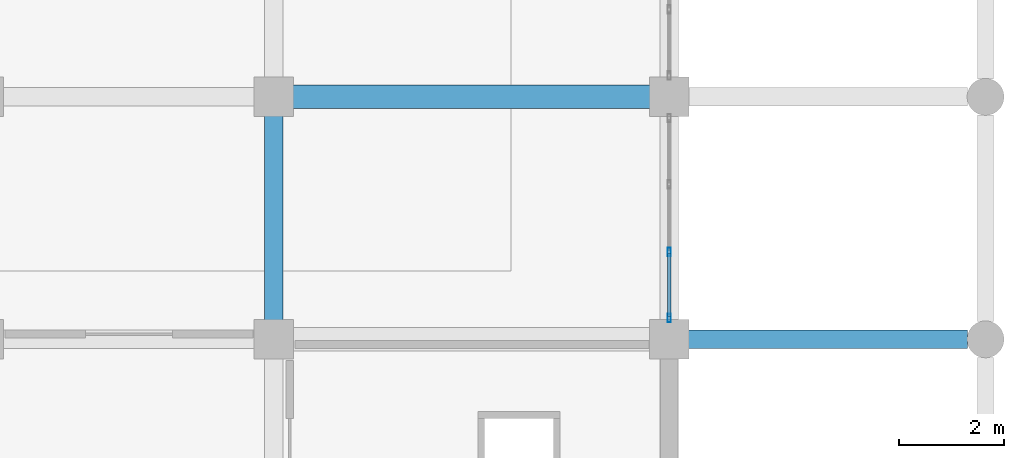
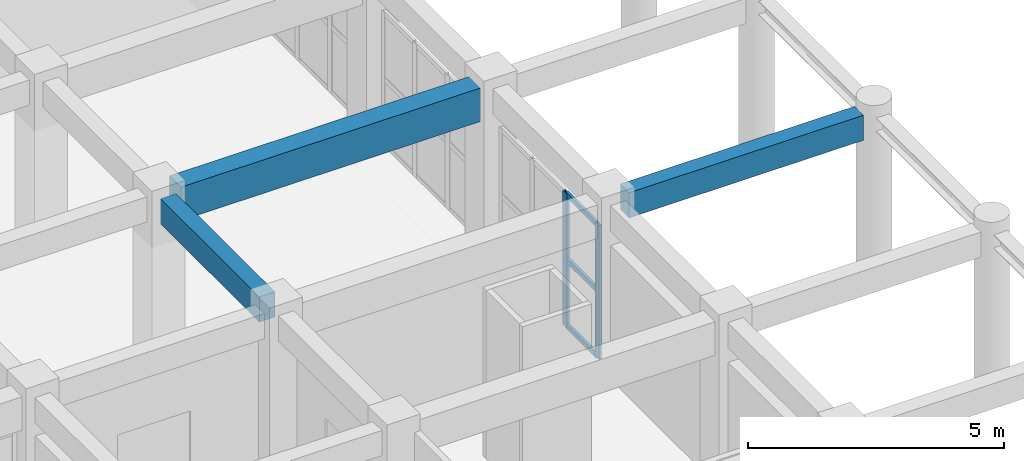
# One storey, part 71 of 116: 5 members, 3 beams, 1 element without a shape of its own.
"""IFC4 building model written with IfcOpenShell, lengths in metres."""

import ifcopenshell
import ifcopenshell.guid

model = None  # the IFC model being written
_history = None  # IfcOwnerHistory: only IFC2X3 demands one
_inside = {}  # id of a spatial element -> (the spatial element, [elements in it])
_under = {}  # id of a project, library or spatial element -> (it, [spatial elements below it])
_declared = {}  # id of a project -> (the project, [libraries it declares])
_typed = {}  # id of a type object -> (the type object, [elements of that type])
_made_of = {}  # id of a material, layer set ... -> (it, [elements and type objects made of it])


def new_model(schema):
    """Start an empty IFC model of exactly this schema.

    Asked for "IFC4X3", IfcOpenShell would pick the latest addendum, in which some entities
    have other attributes; the version numbers below select the first issue.
    IFC2X3 requires an IfcOwnerHistory on every rooted entity: one is made here for all.
    """
    global model, _history
    if schema == "IFC4X3":
        model = ifcopenshell.file(schema_version=(4, 3, 0, 0))
    else:
        model = ifcopenshell.file(schema=schema)
    _inside.clear()
    _under.clear()
    _declared.clear()
    _typed.clear()
    _made_of.clear()
    _history = None
    if model.schema == "IFC2X3":
        org = make("IfcOrganization", Name="unknown")
        user = make(
            "IfcPersonAndOrganization",
            ThePerson=make("IfcPerson", FamilyName="unknown"),
            TheOrganization=org,
        )
        app = make(
            "IfcApplication",
            ApplicationDeveloper=org,
            Version="unknown",
            ApplicationFullName="unknown",
            ApplicationIdentifier="unknown",
        )
        _history = make(
            "IfcOwnerHistory",
            OwningUser=user,
            OwningApplication=app,
            ChangeAction="ADDED",
            CreationDate=0,
        )
    return model


def make(cls, **values):
    """One entity of the class cls with the attributes given. An attribute that is None is left unset."""
    return model.create_entity(
        cls, **{name: value for name, value in values.items() if value is not None}
    )


def rooted(cls, **values):
    """An entity with a GlobalId (a new one), such as an element, a storey or a relation."""
    return make(cls, GlobalId=ifcopenshell.guid.new(), OwnerHistory=_history, **values)


def si_unit(unit_type, name, prefix=None):
    """IfcSIUnit, for example si_unit("LENGTHUNIT", "METRE", prefix="MILLI")."""
    return make("IfcSIUnit", UnitType=unit_type, Prefix=prefix, Name=name)


def assignment(units):
    """IfcUnitAssignment: the units of a project."""
    return None if units is None else make("IfcUnitAssignment", Units=units)


def point(xyz):
    """IfcCartesianPoint."""
    return None if xyz is None else make("IfcCartesianPoint", Coordinates=xyz)


def direction(xyz):
    """IfcDirection."""
    return None if xyz is None else make("IfcDirection", DirectionRatios=xyz)


def frame(location, z_axis=None, x_axis=None):
    """IfcAxis2Placement3D, a coordinate frame: its origin and axes. An axis left out is left unset."""
    return make(
        "IfcAxis2Placement3D",
        Location=point(location),
        Axis=direction(z_axis),
        RefDirection=direction(x_axis),
    )


def frame_2d(location, x_axis=None):
    """IfcAxis2Placement2D, a coordinate frame in the plane: its origin and x axis."""
    return make(
        "IfcAxis2Placement2D", Location=point(location), RefDirection=direction(x_axis)
    )


def origin():
    """The frame at (0, 0, 0) with its axes left unset."""
    return frame((0.0, 0.0, 0.0))


def origin_2d():
    """The frame at (0, 0) in the plane with its x axis left unset."""
    return frame_2d((0.0, 0.0))


def place(relative_to, where):
    """IfcLocalPlacement: puts the frame where relative to a parent placement (None: the world)."""
    return make(
        "IfcLocalPlacement", PlacementRelTo=relative_to, RelativePlacement=where
    )


def context(
    kind, dimensions, precision=None, world=None, true_north=None, identifier=None
):
    """IfcGeometricRepresentationContext, for example the 3D "Model" context."""
    return make(
        "IfcGeometricRepresentationContext",
        ContextIdentifier=identifier,
        ContextType=kind,
        CoordinateSpaceDimension=dimensions,
        Precision=precision,
        WorldCoordinateSystem=world,
        TrueNorth=true_north,
    )


def subcontext(parent, identifier, kind, view, scale=None):
    """IfcGeometricRepresentationSubContext, for example "Body" below "Model"."""
    return make(
        "IfcGeometricRepresentationSubContext",
        ContextIdentifier=identifier,
        ContextType=kind,
        ParentContext=parent,
        TargetScale=scale,
        TargetView=view,
    )


def project(units=None, contexts=None):
    """IfcProject with its units and contexts."""
    return rooted(
        "IfcProject",
        Name="project",
        RepresentationContexts=contexts,
        UnitsInContext=assignment(units),
    )


def spatial(cls, under=None, at=None, **own):
    """A site, building, storey or space (cls), placed at a placement, below another one or the project."""
    s = rooted(cls, ObjectPlacement=at, **own)
    if under is not None:
        _under.setdefault(under.id(), (under, []))[1].append(s)
    return s


def profile(cls, at=None, kind="AREA", **sizes):
    """A parametric profile (cls). Its sizes go by their IFC names, for example OverallWidth=200.0."""
    return make(cls, ProfileType=kind, Position=at, **sizes)


def rectangle(**sizes):
    """IfcRectangleProfileDef."""
    return profile("IfcRectangleProfileDef", **sizes)


def hollow_rectangle(**sizes):
    """IfcRectangleHollowProfileDef."""
    return profile("IfcRectangleHollowProfileDef", **sizes)


def extrude(swept, where, along, depth):
    """IfcExtrudedAreaSolid: the profile swept, set in the frame where, extruded along a direction by depth."""
    return make(
        "IfcExtrudedAreaSolid",
        SweptArea=swept,
        Position=where,
        ExtrudedDirection=direction(along),
        Depth=depth,
    )


def shape(context_of_items, identifier, shape_type, items):
    """IfcShapeRepresentation: the items that make up one representation, for example the "Body"."""
    return make(
        "IfcShapeRepresentation",
        ContextOfItems=context_of_items,
        RepresentationIdentifier=identifier,
        RepresentationType=shape_type,
        Items=items,
    )


def material(Name=None, Category=None):
    """IfcMaterial."""
    return make("IfcMaterial", Name=Name, Category=Category)


def layer(
    of_material, thickness, ventilated=None, Name=None, Category=None, Priority=None
):
    """IfcMaterialLayer: one layer of a wall or slab, of a material (None: an air gap)."""
    return make(
        "IfcMaterialLayer",
        Material=of_material,
        LayerThickness=thickness,
        IsVentilated=ventilated,
        Name=Name,
        Category=Category,
        Priority=Priority,
    )


def layer_set(layers, Name=None):
    """IfcMaterialLayerSet."""
    return make("IfcMaterialLayerSet", MaterialLayers=layers, LayerSetName=Name)


def material_profile(
    of_material, cross_section, Name=None, Category=None, Priority=None
):
    """IfcMaterialProfile: a cross section and its material."""
    return make(
        "IfcMaterialProfile",
        Name=Name,
        Material=of_material,
        Profile=cross_section,
        Priority=Priority,
        Category=Category,
    )


def profile_set(profiles, Name=None, composite=None):
    """IfcMaterialProfileSet."""
    return make(
        "IfcMaterialProfileSet",
        Name=Name,
        MaterialProfiles=profiles,
        CompositeProfile=composite,
    )


def made_of(thing, what):
    """Note that an element or type object is made of a material, layer set ...; save() writes the relation."""
    if what is not None:
        _made_of.setdefault(what.id(), (what, []))[1].append(thing)
    return thing


def type_object(cls, material=None, **own):
    """A type object (cls), such as IfcWallType, which elements share."""
    return made_of(rooted(cls, **own), material)


def element(
    cls,
    number,
    at=None,
    inside=None,
    cuts=None,
    type_object=None,
    material=None,
    context=None,
    identifier="Body",
    shape_type=None,
    held_by="IfcProductDefinitionShape",
    body=None,
    shapes=None,
    **own,
):
    """One element of the class cls, such as IfcWall. Its Tag is "e" and its number.

    at: its placement. inside: the storey or other place that contains it. cuts: it is an
    opening in that element (IfcRelVoidsElement). A single representation is given by context,
    identifier, shape_type and body (its items); several are given by shapes. held_by: the class
    of the entity that holds the representations. save() writes the other relations.
    """
    e = rooted(cls, Tag="e%d" % number, ObjectPlacement=at, **own)
    if body is not None:
        shapes = [shape(context, identifier, shape_type, body)]
    if shapes is not None:
        e.Representation = make(held_by, Representations=shapes)
    if inside is not None:
        _inside.setdefault(inside.id(), (inside, []))[1].append(e)
    if cuts is not None:
        rooted(
            "IfcRelVoidsElement", RelatingBuildingElement=cuts, RelatedOpeningElement=e
        )
    if type_object is not None:
        _typed.setdefault(type_object.id(), (type_object, []))[1].append(e)
    return made_of(e, material)


def aggregate(whole, parts):
    """IfcRelAggregates: a whole, such as a stair, and the parts it consists of."""
    return rooted("IfcRelAggregates", RelatingObject=whole, RelatedObjects=parts)


def save(model, path):
    """Write the relations noted so far, then the file.

    IfcRelAggregates (storeys below a building ...), IfcRelContainedInSpatialStructure (elements
    in a storey), IfcRelDefinesByType, IfcRelAssociatesMaterial and IfcRelDeclares: one each for
    every whole, place, type object, material and project.
    """
    for whole, parts in _under.values():
        aggregate(whole, parts)
    for where, things in _inside.values():
        rooted(
            "IfcRelContainedInSpatialStructure",
            RelatedElements=things,
            RelatingStructure=where,
        )
    for kind, things in _typed.values():
        rooted("IfcRelDefinesByType", RelatedObjects=things, RelatingType=kind)
    for what, things in _made_of.values():
        rooted("IfcRelAssociatesMaterial", RelatedObjects=things, RelatingMaterial=what)
    for by, libraries in _declared.values():
        rooted("IfcRelDeclares", RelatingContext=by, RelatedDefinitions=libraries)
    model.write(path)


model = new_model("IFC4")

# Units and contexts
model_context = context("Model", 3, precision=1e-05, world=origin(), true_north=direction((0.0, 1.0)))
body_context = subcontext(model_context, "Body", "Model", "MODEL_VIEW")
ifc_project = project(units=[si_unit("LENGTHUNIT", "METRE"), si_unit("AREAUNIT", "SQUARE_METRE"), si_unit("VOLUMEUNIT", "CUBIC_METRE"), si_unit("PLANEANGLEUNIT", "RADIAN"), si_unit("MASSUNIT", "GRAM", prefix="KILO")], contexts=[model_context])

# Site, building, storey
site_placement = place(None, origin())
site = spatial("IfcSite", under=ifc_project, at=site_placement, CompositionType="ELEMENT")
building_placement = place(site_placement, origin())
building = spatial("IfcBuilding", under=site, at=building_placement, Name="Muzn Square Opera House", CompositionType="ELEMENT")
storey_placement = place(building_placement, frame((0.0, 0.0, 5.39990234375)))
storey = spatial("IfcBuildingStorey", under=building, at=storey_placement, Name="L01", CompositionType="ELEMENT", Elevation=5.39990234375)

# Curtain wall, members
ifc_material_1 = material(Name="Low-E laminated acoustic double glazing", Category="glass")
ifc_layer = layer(ifc_material_1, 0.159912109375, Name="Low-E laminated acoustic double glazing", Category="glass")
ifc_layer_set = layer_set([ifc_layer], Name="Low-E laminated acoustic double glazing")
curtain_wall_type = type_object("IfcCurtainWallType", Name="Glazed Curtain Wall EastBlvd 3850x3200", PredefinedType="USERDEFINED", material=ifc_layer_set)
curtain_wall_placement = place(storey_placement, origin())
curtain_wall = element("IfcCurtainWall", 1, at=curtain_wall_placement, inside=storey, type_object=curtain_wall_type, Name="Glazed Curtain Wall CW-L01-116", ObjectType="GLAZED CURTAIN WALL", PredefinedType="USERDEFINED")
ifc_material_2 = material(Name="Anodised bronze aluminium 6063-T6", Category="metal")
ifc_material_profile_1 = material_profile(ifc_material_2, hollow_rectangle(XDim=0.06005859375, YDim=0.159912109375, WallThickness=0.00390625, at=origin_2d()), Name="ALU 160x60x4", Category="metal")
ifc_profile_set_1 = profile_set([ifc_material_profile_1], Name="Anodised bronze aluminium 6063-T6")
member_type_1 = type_object("IfcMemberType", Name="Curtain Wall Mullion 160x60", PredefinedType="MULLION", material=ifc_profile_set_1)
member_1_placement = place(storey_placement, frame((170.0, 54.60498046875, 0.0), z_axis=(0.0, 0.0, 1.0), x_axis=(-1.0, 0.0, 0.0)))
member_1 = element("IfcMember", 2, at=member_1_placement, type_object=member_type_1, Name="CW-EBL-38x32 mullion 1", PredefinedType="MULLION", context=body_context, shape_type="SweptSolid", body=[
    extrude(hollow_rectangle(XDim=0.06005859375, YDim=0.159912109375, WallThickness=0.00390625, at=origin_2d()), origin(), (0.0, 0.0, 1.0), 3.2001953125),
])
member_2_placement = place(storey_placement, frame((170.0, 55.8583984375, 0.0), z_axis=(0.0, 0.0, 1.0), x_axis=(-1.0, 0.0, 0.0)))
member_2 = element("IfcMember", 3, at=member_2_placement, type_object=member_type_1, Name="CW-EBL-38x32 mullion 2", PredefinedType="MULLION", context=body_context, shape_type="SweptSolid", body=[
    extrude(hollow_rectangle(XDim=0.06005859375, YDim=0.159912109375, WallThickness=0.00390625, at=origin_2d()), origin(), (0.0, 0.0, 1.0), 3.2001953125),
])
ifc_material_profile_2 = material_profile(ifc_material_2, hollow_rectangle(XDim=0.06005859375, YDim=0.1201171875, WallThickness=0.00390625, at=origin_2d()), Name="ALU 120x60x4", Category="metal")
ifc_profile_set_2 = profile_set([ifc_material_profile_2], Name="Anodised bronze aluminium 6063-T6")
member_type_2 = type_object("IfcMemberType", Name="Curtain Wall Transom 120x60", PredefinedType="USERDEFINED", material=ifc_profile_set_2)
member_3_placement = place(storey_placement, frame((170.0, 54.635009765625, 0.030029296875), z_axis=(0.0, 1.0, 0.0), x_axis=(-1.0, 0.0, 0.0)))
member_3 = element("IfcMember", 4, at=member_3_placement, type_object=member_type_2, Name="CW-EBL-38x32 transom 1.1", ObjectType="TRANSOM", PredefinedType="USERDEFINED", context=body_context, shape_type="SweptSolid", body=[
    extrude(hollow_rectangle(XDim=0.06005859375, YDim=0.1201171875, WallThickness=0.00390625, at=origin_2d()), origin(), (0.0, 0.0, 1.0), 1.193359375),
])
member_4_placement = place(storey_placement, frame((170.0, 54.635009765625, 1.60009765625), z_axis=(0.0, 1.0, 0.0), x_axis=(-1.0, 0.0, 0.0)))
member_4 = element("IfcMember", 5, at=member_4_placement, type_object=member_type_2, Name="CW-EBL-38x32 transom 1.2", ObjectType="TRANSOM", PredefinedType="USERDEFINED", context=body_context, shape_type="SweptSolid", body=[
    extrude(hollow_rectangle(XDim=0.06005859375, YDim=0.1201171875, WallThickness=0.00390625, at=origin_2d()), origin(), (0.0, 0.0, 1.0), 1.193359375),
])
member_5_placement = place(storey_placement, frame((170.0, 54.635009765625, 3.170166015625), z_axis=(0.0, 1.0, 0.0), x_axis=(-1.0, 0.0, 0.0)))
member_5 = element("IfcMember", 6, at=member_5_placement, type_object=member_type_2, Name="CW-EBL-38x32 transom 1.3", ObjectType="TRANSOM", PredefinedType="USERDEFINED", context=body_context, shape_type="SweptSolid", body=[
    extrude(hollow_rectangle(XDim=0.06005859375, YDim=0.1201171875, WallThickness=0.00390625, at=origin_2d()), origin(), (0.0, 0.0, 1.0), 1.193359375),
])
aggregate(curtain_wall, [member_1, member_2, member_3, member_4, member_5])

# Beams
ifc_material_3 = material(Name="Concrete C40/50", Category="concrete")
ifc_material_profile_3 = material_profile(ifc_material_3, rectangle(XDim=0.35009765625, YDim=0.60009765625, at=origin_2d()), Name="RCB 350x600", Category="concrete")
ifc_profile_set_3 = profile_set([ifc_material_profile_3], Name="Concrete C40/50")
beam_type_1 = type_object("IfcBeamType", Name="Primary Girder 350x600", PredefinedType="BEAM", material=ifc_profile_set_3)
beam_1_placement = place(storey_placement, frame((170.366943359375, 54.199951171875, 3.85009765625), z_axis=(1.0, 0.0, 0.0), x_axis=(0.0, 1.0, 0.0)))
element("IfcBeam", 7, at=beam_1_placement, inside=storey, type_object=beam_type_1, Name="Primary Girder BM-L01-BM-PG600-1704_542_1757_542-1379", PredefinedType="BEAM", context=body_context, shape_type="SweptSolid", body=[
    extrude(rectangle(XDim=0.35009765625, YDim=0.60009765625, at=origin_2d()), origin(), (0.0, 0.0, 1.0), 5.291015625),
])
beam_2_placement = place(storey_placement, frame((162.5, 54.56689453125, 3.85009765625), z_axis=(0.0, 1.0, 0.0), x_axis=(-1.0, 0.0, 0.0)))
element("IfcBeam", 8, at=beam_2_placement, inside=storey, type_object=beam_type_1, Name="Primary Girder BM-L01-BM-PG600-1625_546_1625_584-1760", PredefinedType="BEAM", context=body_context, shape_type="SweptSolid", body=[
    extrude(rectangle(XDim=0.35009765625, YDim=0.60009765625, at=origin_2d()), origin(), (0.0, 0.0, 1.0), 3.8662109375),
])
ifc_material_profile_4 = material_profile(ifc_material_3, rectangle(XDim=0.449951171875, YDim=0.800048828125, at=origin_2d()), Name="RCB 450x800", Category="concrete")
ifc_profile_set_4 = profile_set([ifc_material_profile_4], Name="Concrete C40/50")
beam_type_2 = type_object("IfcBeamType", Name="Primary Girder 450x800", PredefinedType="BEAM", material=ifc_profile_set_4)
beam_3_placement = place(storey_placement, frame((162.866943359375, 58.800048828125, 3.75), z_axis=(1.0, 0.0, 0.0), x_axis=(0.0, 1.0, 0.0)))
element("IfcBeam", 9, at=beam_3_placement, inside=storey, type_object=beam_type_2, Name="Primary Girder BM-L01-BM-PG800-1629_588_1696_588-1392", PredefinedType="BEAM", context=body_context, shape_type="SweptSolid", body=[
    extrude(rectangle(XDim=0.449951171875, YDim=0.800048828125, at=origin_2d()), origin(), (0.0, 0.0, 1.0), 6.76611328125),
])

save(model, "model.ifc")
